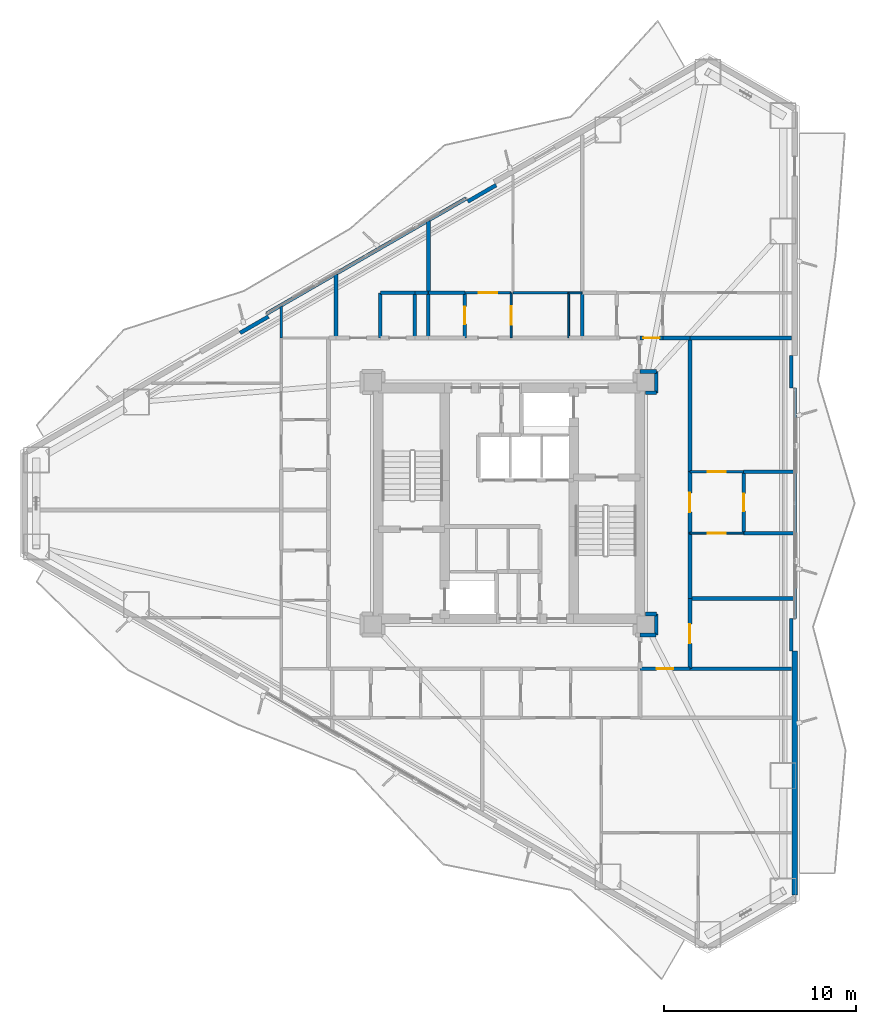
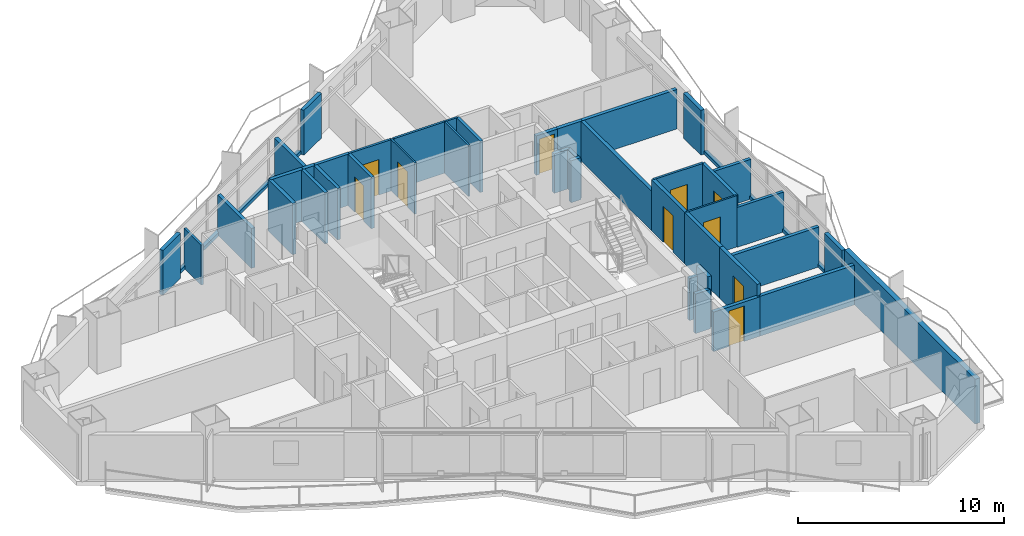
# One storey, part 15 of 18: 44 walls, 10 doors, 10 openings.
"""IFC4 building model written with IfcOpenShell, lengths in metres."""

from ifc_helpers import new_model, si_unit, direction, frame, frame_2d, origin, place, context, subcontext, project, spatial, rectangle, extrude, material, layer, layer_set, type_object, element, fill, save


model = new_model("IFC4")

# Units and contexts
model_context = context("Model", 3, precision=1e-05, world=origin(), true_north=direction((0.0, 1.0)))
body_context = subcontext(model_context, "Body", "Model", "MODEL_VIEW")
ifc_project = project(units=[si_unit("LENGTHUNIT", "METRE"), si_unit("AREAUNIT", "SQUARE_METRE"), si_unit("VOLUMEUNIT", "CUBIC_METRE"), si_unit("PLANEANGLEUNIT", "RADIAN"), si_unit("MASSUNIT", "GRAM", prefix="KILO")], contexts=[model_context])

# Site, building, storey
site_placement = place(None, origin())
site = spatial("IfcSite", under=ifc_project, at=site_placement, CompositionType="ELEMENT")
building_placement = place(site_placement, origin())
building = spatial("IfcBuilding", under=site, at=building_placement, Name="Mersakhor Tower and Convention Hall", CompositionType="ELEMENT")
storey_placement = place(building_placement, frame((0.0, 0.0, 52.199951171875)))
storey = spatial("IfcBuildingStorey", under=building, at=storey_placement, Name="L14", CompositionType="ELEMENT", Elevation=52.199951171875)

# Walls
ifc_material_1 = material(Name="Precast concrete C45/55", Category="concrete")
ifc_layer_1 = layer(ifc_material_1, 0.27490234375)
ifc_layer_set_1 = layer_set([ifc_layer_1], Name="Precast concrete C45/55")
wall_type_1 = type_object("IfcWallType", Name="WL-EXT-275", PredefinedType="SOLIDWALL", material=ifc_layer_set_1)
wall_1_placement = place(storey_placement, frame((43.85009765625, 19.0634765625, 0.0), z_axis=(0.0, 0.0, 1.0), x_axis=(0.0, -1.0, 0.0)))
element("IfcWall", 1, at=wall_1_placement, inside=storey, type_object=wall_type_1, Name="L14 Exterior Facade Wall F2-B3", PredefinedType="SOLIDWALL", context=body_context, shape_type="SweptSolid", body=[
    extrude(rectangle(XDim=12.673095703125, YDim=0.27490234375, at=frame_2d((6.33642578125, 0.0))), origin(), (0.0, 0.0, 1.0), 2.66015625),
])
ifc_material_2 = material(Name="Precast concrete C40/50", Category="concrete")
ifc_layer_2 = layer(ifc_material_2, 0.199951171875)
ifc_layer_set_2 = layer_set([ifc_layer_2], Name="Precast concrete C40/50")
wall_type_2 = type_object("IfcWallType", Name="WL-PAR-200", PredefinedType="PARAPET", material=ifc_layer_set_2)
wall_2_placement = place(storey_placement, frame((16.390380859375, 36.6171875, 0.0), z_axis=(0.0, 0.0, 1.0), x_axis=(0.866027351828, 0.499996625875, 0.0)))
element("IfcWall", 2, at=wall_2_placement, inside=storey, type_object=wall_type_2, Name="L14 Curtain Wall Upstand Sill F1-B2", PredefinedType="PARAPET", context=body_context, shape_type="SweptSolid", body=[
    extrude(rectangle(XDim=11.97314453125, YDim=0.199951171875, at=frame_2d((5.986572265625, 0.0))), origin(), (0.0, 0.0, 1.0), 0.199951171875),
])
for number, where, z_axis, x_axis, name in (
    (3, (15.00830078125, 35.611328125, 0.0), (0.0, 0.0, 1.0), (0.86605165483, 0.499954529098, 0.0), "L14 Column Pier Cladding Wall F1-C1"),
    (4, (26.849609375, 42.447998046875, 0.0), (0.0, 0.0, 1.0), (0.86605165483, 0.499954529098, 0.0), "L14 Column Pier Cladding Wall F1-C2"),
):
    element("IfcWall", number, at=place(storey_placement, frame(where, z_axis=z_axis, x_axis=x_axis)), inside=storey, type_object=wall_type_2, Name=name, PredefinedType="PARAPET", context=body_context, shape_type="SweptSolid", body=[
        extrude(rectangle(XDim=1.699951171875, YDim=0.199951171875, at=frame_2d((0.85009765625, 0.0))), origin(), (0.0, 0.0, 1.0), 2.66015625),
    ])
wall_3_placement = place(storey_placement, frame((43.85009765625, 32.736572265625, 0.0), z_axis=(0.0, 0.0, 1.0), x_axis=(0.0, -1.0, 0.0)))
element("IfcWall", 5, at=wall_3_placement, inside=storey, type_object=wall_type_2, Name="L14 Curtain Wall Upstand Sill F2-B2", PredefinedType="PARAPET", context=body_context, shape_type="SweptSolid", body=[
    extrude(rectangle(XDim=11.97314453125, YDim=0.199951171875, at=frame_2d((5.986572265625, 0.0))), origin(), (0.0, 0.0, 1.0), 0.199951171875),
])
for number, where, z_axis, x_axis, name in (
    (6, (43.669921875, 34.4365234375, 0.0), (0.0, 0.0, 1.0), (0.0, -1.0, 0.0), "L14 Column Pier Cladding Wall F2-C1"),
    (7, (43.669921875, 20.763427734375, 0.0), (0.0, 0.0, 1.0), (0.0, -1.0, 0.0), "L14 Column Pier Cladding Wall F2-C2"),
):
    element("IfcWall", number, at=place(storey_placement, frame(where, z_axis=z_axis, x_axis=x_axis)), inside=storey, type_object=wall_type_2, Name=name, PredefinedType="PARAPET", context=body_context, shape_type="SweptSolid", body=[
        extrude(rectangle(XDim=1.699951171875, YDim=0.199951171875, at=frame_2d((0.85009765625, 0.0))), origin(), (0.0, 0.0, 1.0), 2.66015625),
    ])

# Wall, opening, door
ifc_material_3 = material(Name="Moisture-resistant acoustic drywall studwork", Category="other")
ifc_layer_3 = layer(ifc_material_3, 0.175048828125)
ifc_layer_set_3 = layer_set([ifc_layer_3], Name="Moisture-resistant acoustic drywall studwork")
wall_type_3 = type_object("IfcWallType", Name="WL-PLM-175", PredefinedType="PLUMBINGWALL", material=ifc_layer_set_3)
wall_4_placement = place(storey_placement, frame((26.699951171875, 35.35009765625, 0.0), z_axis=(0.0, 0.0, 1.0), x_axis=(0.0, 1.0, 0.0)))
wall_4 = element("IfcWall", 8, at=wall_4_placement, inside=storey, type_object=wall_type_3, Name="L14 Interior Partition Wall P-073", PredefinedType="PLUMBINGWALL", context=body_context, shape_type="SweptSolid", body=[
    extrude(rectangle(XDim=2.349853515625, YDim=0.175048828125, at=frame_2d((1.1748046875, 0.0))), origin(), (0.0, 0.0, 1.0), 3.0400390625),
])
opening_1_placement = place(wall_4_placement, frame((0.72509765625, 0.0, 0.0)))
opening_1 = element("IfcOpeningElement", 9, at=opening_1_placement, cuts=wall_4, Name="Opening WD-01", PredefinedType="OPENING", context=body_context, shape_type="SweptSolid", body=[
    extrude(rectangle(XDim=0.89990234375, YDim=2.10009765625, at=frame_2d((0.449951171875, 1.050048828125))), frame((0.0, 0.097412109375, 0.0), z_axis=(0.0, -1.0, 0.0), x_axis=(1.0, 0.0, 0.0)), (0.0, 0.0, 1.0), 0.195068359375),
])
ifc_material_4 = material(Name="Solid-core hardwood leaf in painted steel frame", Category="steel")
door_type_1 = type_object("IfcDoorType", Name="DR-INT-WET-090x210", OperationType="NOTDEFINED", PredefinedType="DOOR", material=ifc_material_4)
door_1_placement = place(opening_1_placement, origin())
door_1 = element("IfcDoor", 10, at=door_1_placement, inside=storey, type_object=door_type_1, Name="L14 L14 Flat N2 Apartment Hall to L14 Flat N2 Bathroom Door", OperationType="SINGLE_SWING_RIGHT", OverallHeight=2.10009765625, OverallWidth=0.89990234375, PredefinedType="DOOR", context=body_context, shape_type="SweptSolid", body=[
    extrude(rectangle(XDim=0.89990234375, YDim=2.10009765625, at=frame_2d((0.449951171875, 1.050048828125))), frame((0.0, 0.02490234375, 0.0), z_axis=(0.0, -1.0, 0.0), x_axis=(1.0, 0.0, 0.0)), (0.0, 0.0, 1.0), 0.050048828125),
])
fill(opening_1, door_1)

wall_5_placement = place(storey_placement, frame((41.199951171875, 28.39990234375, 0.0), z_axis=(0.0, 0.0, 1.0), x_axis=(0.0, -1.0, 0.0)))
wall_5 = element("IfcWall", 11, at=wall_5_placement, inside=storey, type_object=wall_type_3, Name="L14 Interior Partition Wall P-089", PredefinedType="PLUMBINGWALL", context=body_context, shape_type="SweptSolid", body=[
    extrude(rectangle(XDim=3.199951171875, YDim=0.175048828125, at=frame_2d((1.60009765625, 0.0))), origin(), (0.0, 0.0, 1.0), 3.0400390625),
])
opening_2_placement = place(wall_5_placement, frame((1.14990234375, 0.0, 0.0)))
opening_2 = element("IfcOpeningElement", 12, at=opening_2_placement, cuts=wall_5, Name="Opening WD-01", PredefinedType="OPENING", context=body_context, shape_type="SweptSolid", body=[
    extrude(rectangle(XDim=0.89990234375, YDim=2.10009765625, at=frame_2d((0.449951171875, 1.050048828125))), frame((0.0, 0.097412109375, 0.0), z_axis=(0.0, -1.0, 0.0), x_axis=(1.0, 0.0, 0.0)), (0.0, 0.0, 1.0), 0.195068359375),
])
door_2_placement = place(opening_2_placement, origin())
door_2 = element("IfcDoor", 13, at=door_2_placement, inside=storey, type_object=door_type_1, Name="L14 L14 Flat E8 Apartment Hall to L14 Flat E8 Bathroom Door", OperationType="SINGLE_SWING_RIGHT", OverallHeight=2.10009765625, OverallWidth=0.89990234375, PredefinedType="DOOR", context=body_context, shape_type="SweptSolid", body=[
    extrude(rectangle(XDim=0.89990234375, YDim=2.10009765625, at=frame_2d((0.449951171875, 1.050048828125))), frame((0.0, 0.02490234375, 0.0), z_axis=(0.0, -1.0, 0.0), x_axis=(1.0, 0.0, 0.0)), (0.0, 0.0, 1.0), 0.050048828125),
])
fill(opening_2, door_2)

# Walls
wall_6_placement = place(storey_placement, frame((24.10009765625, 37.699951171875, 0.0), z_axis=(0.0, 0.0, 1.0), x_axis=(0.0, -1.0, 0.0)))
element("IfcWall", 14, at=wall_6_placement, inside=storey, type_object=wall_type_3, Name="L14 Interior Partition Wall P-093", PredefinedType="PLUMBINGWALL", context=body_context, shape_type="SweptSolid", body=[
    extrude(rectangle(XDim=2.349853515625, YDim=0.175048828125, at=frame_2d((1.1748046875, 0.0))), origin(), (0.0, 0.0, 1.0), 3.0400390625),
])
wall_7_placement = place(storey_placement, frame((24.800048828125, 37.699951171875, 0.0), z_axis=(0.0, 0.0, 1.0), x_axis=(1.0, 0.0, 0.0)))
element("IfcWall", 15, at=wall_7_placement, inside=storey, type_object=wall_type_3, Name="L14 Interior Partition Wall P-095", PredefinedType="PLUMBINGWALL", context=body_context, shape_type="SweptSolid", body=[
    extrude(rectangle(XDim=1.89990234375, YDim=0.175048828125, at=frame_2d((0.949951171875, 0.0))), origin(), (0.0, 0.0, 1.0), 3.0400390625),
])
for number, where, z_axis, x_axis, name in (
    (16, (24.800048828125, 35.35009765625, 0.0), (0.0, 0.0, 1.0), (0.0, 1.0, 0.0), "L14 Interior Partition Wall P-096"),
    (17, (32.800048828125, 35.35009765625, 0.0), (0.0, 0.0, 1.0), (0.0, 1.0, 0.0), "L14 Interior Partition Wall P-100"),
):
    element("IfcWall", number, at=place(storey_placement, frame(where, z_axis=z_axis, x_axis=x_axis)), inside=storey, type_object=wall_type_3, Name=name, PredefinedType="PLUMBINGWALL", context=body_context, shape_type="SweptSolid", body=[
        extrude(rectangle(XDim=2.349853515625, YDim=0.175048828125, at=frame_2d((1.1748046875, 0.0))), origin(), (0.0, 0.0, 1.0), 3.0400390625),
    ])
for number, where, z_axis, x_axis, name in (
    (18, (41.199951171875, 28.39990234375, 0.0), (0.0, 0.0, 1.0), (1.0, 0.0, 0.0), "L14 Interior Partition Wall P-120"),
    (19, (43.81396484375, 25.199951171875, 0.0), (0.0, 0.0, 1.0), (-1.0, 0.0, 0.0), "L14 Interior Partition Wall P-121"),
):
    element("IfcWall", number, at=place(storey_placement, frame(where, z_axis=z_axis, x_axis=x_axis)), inside=storey, type_object=wall_type_3, Name=name, PredefinedType="PLUMBINGWALL", context=body_context, shape_type="SweptSolid", body=[
        extrude(rectangle(XDim=2.614013671875, YDim=0.175048828125, at=frame_2d((1.30712890625, 0.0))), origin(), (0.0, 0.0, 1.0), 2.364990234375),
    ])

# Wall, opening, door
ifc_material_5 = material(Name="Lightweight gypsum partition", Category="other")
ifc_layer_4 = layer(ifc_material_5, 0.10009765625)
ifc_layer_set_4 = layer_set([ifc_layer_4], Name="Lightweight gypsum partition")
wall_type_4 = type_object("IfcWallType", Name="WL-PRT-100", PredefinedType="PARTITIONING", material=ifc_layer_set_4)
wall_8_placement = place(storey_placement, frame((29.10009765625, 37.699951171875, 0.0), z_axis=(0.0, 0.0, 1.0), x_axis=(0.0, -1.0, 0.0)))
wall_8 = element("IfcWall", 20, at=wall_8_placement, inside=storey, type_object=wall_type_4, Name="L14 Interior Partition Wall P-072", PredefinedType="PARTITIONING", context=body_context, shape_type="SweptSolid", body=[
    extrude(rectangle(XDim=2.349853515625, YDim=0.10009765625, at=frame_2d((1.1748046875, 0.0))), origin(), (0.0, 0.0, 1.0), 3.0400390625),
])
opening_3_placement = place(wall_8_placement, frame((0.699951171875, 0.0, 0.0)))
opening_3 = element("IfcOpeningElement", 21, at=opening_3_placement, cuts=wall_8, Name="Opening RD-01", PredefinedType="OPENING", context=body_context, shape_type="SweptSolid", body=[
    extrude(rectangle(XDim=0.949951171875, YDim=2.10009765625, at=frame_2d((0.47509765625, 1.050048828125))), frame((0.0, 0.06005859375, 0.0), z_axis=(0.0, -1.0, 0.0), x_axis=(1.0, 0.0, 0.0)), (0.0, 0.0, 1.0), 0.1201171875),
])
ifc_material_6 = material(Name="Solid-core hardwood leaf in painted steel frame", Category="steel")
door_type_2 = type_object("IfcDoorType", Name="DR-INT-RM-095x210", OperationType="NOTDEFINED", PredefinedType="DOOR", material=ifc_material_6)
door_3_placement = place(opening_3_placement, origin())
door_3 = element("IfcDoor", 22, at=door_3_placement, inside=storey, type_object=door_type_2, Name="L14 L14 Flat N2 Apartment Hall to L14 Flat N2 Kitchen Door", OperationType="SINGLE_SWING_LEFT", OverallHeight=2.10009765625, OverallWidth=0.949951171875, PredefinedType="DOOR", context=body_context, shape_type="SweptSolid", body=[
    extrude(rectangle(XDim=0.949951171875, YDim=2.10009765625, at=frame_2d((0.47509765625, 1.050048828125))), frame((0.0, 0.02490234375, 0.0), z_axis=(0.0, -1.0, 0.0), x_axis=(1.0, 0.0, 0.0)), (0.0, 0.0, 1.0), 0.050048828125),
])
fill(opening_3, door_3)

wall_9_placement = place(storey_placement, frame((41.199951171875, 25.199951171875, 0.0), z_axis=(0.0, 0.0, 1.0), x_axis=(-1.0, 0.0, 0.0)))
wall_9 = element("IfcWall", 23, at=wall_9_placement, inside=storey, type_object=wall_type_4, Name="L14 Interior Partition Wall P-090", PredefinedType="PARTITIONING", context=body_context, shape_type="SweptSolid", body=[
    extrude(rectangle(XDim=2.800048828125, YDim=0.10009765625, at=frame_2d((1.39990234375, 0.0))), origin(), (0.0, 0.0, 1.0), 3.0400390625),
])
opening_4_placement = place(wall_9_placement, frame((0.925048828125, 0.0, 0.0)))
opening_4 = element("IfcOpeningElement", 24, at=opening_4_placement, cuts=wall_9, Name="Opening RD-01", PredefinedType="OPENING", context=body_context, shape_type="SweptSolid", body=[
    extrude(rectangle(XDim=0.949951171875, YDim=2.10009765625, at=frame_2d((0.47509765625, 1.050048828125))), frame((0.0, 0.06005859375, 0.0), z_axis=(0.0, -1.0, 0.0), x_axis=(1.0, 0.0, 0.0)), (0.0, 0.0, 1.0), 0.1201171875),
])
door_4_placement = place(opening_4_placement, origin())
door_4 = element("IfcDoor", 25, at=door_4_placement, inside=storey, type_object=door_type_2, Name="L14 L14 Flat E8 Apartment Hall to L14 Flat E8 Kitchen Door", OperationType="SINGLE_SWING_LEFT", OverallHeight=2.10009765625, OverallWidth=0.949951171875, PredefinedType="DOOR", context=body_context, shape_type="SweptSolid", body=[
    extrude(rectangle(XDim=0.949951171875, YDim=2.10009765625, at=frame_2d((0.47509765625, 1.050048828125))), frame((0.0, 0.02490234375, 0.0), z_axis=(0.0, -1.0, 0.0), x_axis=(1.0, 0.0, 0.0)), (0.0, 0.0, 1.0), 0.050048828125),
])
fill(opening_4, door_4)

# Walls
wall_10_placement = place(storey_placement, frame((32.10009765625, 37.699951171875, 0.0), z_axis=(0.0, 0.0, 1.0), x_axis=(0.0, -1.0, 0.0)))
element("IfcWall", 26, at=wall_10_placement, inside=storey, type_object=wall_type_4, Name="L14 Interior Partition Wall P-098", PredefinedType="PARTITIONING", context=body_context, shape_type="SweptSolid", body=[
    extrude(rectangle(XDim=2.349853515625, YDim=0.10009765625, at=frame_2d((1.1748046875, 0.0))), origin(), (0.0, 0.0, 1.0), 3.0400390625),
])
wall_11_placement = place(storey_placement, frame((32.800048828125, 37.699951171875, 0.0), z_axis=(0.0, 0.0, 1.0), x_axis=(-1.0, 0.0, 0.0)))
element("IfcWall", 27, at=wall_11_placement, inside=storey, type_object=wall_type_4, Name="L14 Interior Partition Wall P-130", PredefinedType="PARTITIONING", context=body_context, shape_type="SweptSolid", body=[
    extrude(rectangle(XDim=0.699951171875, YDim=0.10009765625, at=frame_2d((0.35009765625, 0.0))), origin(), (0.0, 0.0, 1.0), 3.0400390625),
])

# Wall, opening, door
ifc_material_7 = material(Name="Gypsum board acoustic partition", Category="other")
ifc_layer_5 = layer(ifc_material_7, 0.125)
ifc_layer_set_5 = layer_set([ifc_layer_5], Name="Gypsum board acoustic partition")
wall_type_5 = type_object("IfcWallType", Name="WL-PRT-125", PredefinedType="PARTITIONING", material=ifc_layer_set_5)
wall_12_placement = place(storey_placement, frame((26.699951171875, 37.699951171875, 0.0), z_axis=(0.0, 0.0, 1.0), x_axis=(1.0, 0.0, 0.0)))
wall_12 = element("IfcWall", 28, at=wall_12_placement, inside=storey, type_object=wall_type_5, Name="L14 Interior Partition Wall P-071", PredefinedType="PARTITIONING", context=body_context, shape_type="SweptSolid", body=[
    extrude(rectangle(XDim=2.400146484375, YDim=0.125, at=frame_2d((1.2001953125, 0.0))), origin(), (0.0, 0.0, 1.0), 3.0400390625),
])
opening_5_placement = place(wall_12_placement, frame((0.72509765625, 0.0, 0.0)))
opening_5 = element("IfcOpeningElement", 29, at=opening_5_placement, cuts=wall_12, Name="Opening RD-01", PredefinedType="OPENING", context=body_context, shape_type="SweptSolid", body=[
    extrude(rectangle(XDim=0.949951171875, YDim=2.10009765625, at=frame_2d((0.47509765625, 1.050048828125))), frame((0.0, 0.072509765625, 0.0), z_axis=(0.0, -1.0, 0.0), x_axis=(1.0, 0.0, 0.0)), (0.0, 0.0, 1.0), 0.14501953125),
])
door_5_placement = place(opening_5_placement, origin())
door_5 = element("IfcDoor", 30, at=door_5_placement, inside=storey, type_object=door_type_2, Name="L14 L14 Flat N2 Apartment Hall to L14 Flat N2 Living and Dining Room Door", OperationType="SINGLE_SWING_RIGHT", OverallHeight=2.10009765625, OverallWidth=0.949951171875, PredefinedType="DOOR", context=body_context, shape_type="SweptSolid", body=[
    extrude(rectangle(XDim=0.949951171875, YDim=2.10009765625, at=frame_2d((0.47509765625, 1.050048828125))), frame((0.0, 0.02490234375, 0.0), z_axis=(0.0, -1.0, 0.0), x_axis=(1.0, 0.0, 0.0)), (0.0, 0.0, 1.0), 0.050048828125),
])
fill(opening_5, door_5)

wall_13_placement = place(storey_placement, frame((38.39990234375, 28.39990234375, 0.0), z_axis=(0.0, 0.0, 1.0), x_axis=(1.0, 0.0, 0.0)))
wall_13 = element("IfcWall", 31, at=wall_13_placement, inside=storey, type_object=wall_type_5, Name="L14 Interior Partition Wall P-091", PredefinedType="PARTITIONING", context=body_context, shape_type="SweptSolid", body=[
    extrude(rectangle(XDim=2.800048828125, YDim=0.125, at=frame_2d((1.39990234375, 0.0))), origin(), (0.0, 0.0, 1.0), 3.0400390625),
])
opening_6_placement = place(wall_13_placement, frame((0.925048828125, 0.0, 0.0)))
opening_6 = element("IfcOpeningElement", 32, at=opening_6_placement, cuts=wall_13, Name="Opening RD-01", PredefinedType="OPENING", context=body_context, shape_type="SweptSolid", body=[
    extrude(rectangle(XDim=0.949951171875, YDim=2.10009765625, at=frame_2d((0.47509765625, 1.050048828125))), frame((0.0, 0.072509765625, 0.0), z_axis=(0.0, -1.0, 0.0), x_axis=(1.0, 0.0, 0.0)), (0.0, 0.0, 1.0), 0.14501953125),
])
door_6_placement = place(opening_6_placement, origin())
door_6 = element("IfcDoor", 33, at=door_6_placement, inside=storey, type_object=door_type_2, Name="L14 L14 Flat E8 Apartment Hall to L14 Flat E8 Studio Living and Sleeping Room Door", OperationType="SINGLE_SWING_RIGHT", OverallHeight=2.10009765625, OverallWidth=0.949951171875, PredefinedType="DOOR", context=body_context, shape_type="SweptSolid", body=[
    extrude(rectangle(XDim=0.949951171875, YDim=2.10009765625, at=frame_2d((0.47509765625, 1.050048828125))), frame((0.0, 0.02490234375, 0.0), z_axis=(0.0, -1.0, 0.0), x_axis=(1.0, 0.0, 0.0)), (0.0, 0.0, 1.0), 0.050048828125),
])
fill(opening_6, door_6)

# Walls
wall_14_placement = place(storey_placement, frame((29.199951171875, 37.699951171875, 0.0), z_axis=(0.0, 0.0, 1.0), x_axis=(1.0, 0.0, 0.0)))
element("IfcWall", 34, at=wall_14_placement, inside=storey, type_object=wall_type_5, Name="L14 Interior Partition Wall P-097", PredefinedType="PARTITIONING", context=body_context, shape_type="SweptSolid", body=[
    extrude(rectangle(XDim=2.900146484375, YDim=0.125, at=frame_2d((1.4501953125, 0.0))), origin(), (0.0, 0.0, 1.0), 3.0400390625),
])
wall_15_placement = place(storey_placement, frame((17.14990234375, 37.01416015625, 0.0), z_axis=(0.0, 0.0, 1.0), x_axis=(0.0, -1.0, 0.0)))
element("IfcWall", 35, at=wall_15_placement, inside=storey, type_object=wall_type_5, Name="L14 Interior Partition Wall P-143", PredefinedType="PARTITIONING", context=body_context, shape_type="SweptSolid", body=[
    extrude(rectangle(XDim=1.6640625, YDim=0.125, at=frame_2d((0.83203125, 0.0))), origin(), (0.0, 0.0, 1.0), 2.364990234375),
])
ifc_material_8 = material(Name="Acoustic concrete blockwork and gypsum board", Category="masonry")
ifc_layer_6 = layer(ifc_material_8, 0.199951171875)
ifc_layer_set_6 = layer_set([ifc_layer_6], Name="Acoustic concrete blockwork and gypsum board")
wall_type_6 = type_object("IfcWallType", Name="WL-PRT-200", PredefinedType="PARTITIONING", material=ifc_layer_set_6)
for number, where, z_axis, x_axis, name in (
    (36, (36.64990234375, 21.0, 0.0), (0.0, 0.0, 1.0), (-1.0, 0.0, 0.0), "L14 Interior Partition Wall P-058"),
    (37, (36.10009765625, 32.5, 0.0), (0.0, 0.0, 1.0), (1.0, 0.0, 0.0), "L14 Interior Partition Wall P-059"),
):
    element("IfcWall", number, at=place(storey_placement, frame(where, z_axis=z_axis, x_axis=x_axis)), inside=storey, type_object=wall_type_6, Name=name, PredefinedType="PARTITIONING", context=body_context, shape_type="SweptSolid", body=[
        extrude(rectangle(XDim=0.5498046875, YDim=0.199951171875, at=frame_2d((0.27490234375, 0.0))), origin(), (0.0, 0.0, 1.0), 2.48828125),
    ])
wall_16_placement = place(storey_placement, frame((36.64990234375, 32.5, 0.0), z_axis=(0.0, 0.0, 1.0), x_axis=(0.0, 1.0, 0.0)))
element("IfcWall", 38, at=wall_16_placement, inside=storey, type_object=wall_type_6, Name="L14 Interior Partition Wall P-060", PredefinedType="PARTITIONING", context=body_context, shape_type="SweptSolid", body=[
    extrude(rectangle(XDim=1.10009765625, YDim=0.199951171875, at=frame_2d((0.550048828125, 0.0))), origin(), (0.0, 0.0, 1.0), 2.337646484375),
])
wall_17_placement = place(storey_placement, frame((36.64990234375, 33.60009765625, 0.0), z_axis=(0.0, 0.0, 1.0), x_axis=(-1.0, 0.0, 0.0)))
element("IfcWall", 39, at=wall_17_placement, inside=storey, type_object=wall_type_6, Name="L14 Interior Partition Wall P-061", PredefinedType="PARTITIONING", context=body_context, shape_type="SweptSolid", body=[
    extrude(rectangle(XDim=0.849853515625, YDim=0.199951171875, at=frame_2d((0.4248046875, 0.0))), origin(), (0.0, 0.0, 1.0), 2.337646484375),
])

# Wall, opening, door
wall_18_placement = place(storey_placement, frame((35.800048828125, 35.35009765625, 0.0), z_axis=(0.0, 0.0, 1.0), x_axis=(1.0, 0.0, 0.0)))
wall_18 = element("IfcWall", 40, at=wall_18_placement, inside=storey, type_object=wall_type_6, Name="L14 Interior Partition Wall P-062", PredefinedType="PARTITIONING", context=body_context, shape_type="SweptSolid", body=[
    extrude(rectangle(XDim=1.199951171875, YDim=0.199951171875, at=frame_2d((0.60009765625, 0.0))), origin(), (0.0, 0.0, 1.0), 2.337646484375),
])
opening_7_placement = place(wall_18_placement, frame((0.175048828125, 0.0, 0.0)))
opening_7 = element("IfcOpeningElement", 41, at=opening_7_placement, cuts=wall_18, Name="Opening SVD-01", PredefinedType="OPENING", context=body_context, shape_type="SweptSolid", body=[
    extrude(rectangle(XDim=0.85009765625, YDim=2.10009765625, at=frame_2d((0.425048828125, 1.050048828125))), frame((0.0, 0.10986328125, 0.0), z_axis=(0.0, -1.0, 0.0), x_axis=(1.0, 0.0, 0.0)), (0.0, 0.0, 1.0), 0.219970703125),
])
ifc_material_9 = material(Name="Fire-rated hardwood leaf and painted steel frame", Category="steel")
door_type_3 = type_object("IfcDoorType", Name="DR-INT-SVC-085x210", OperationType="NOTDEFINED", PredefinedType="DOOR", material=ifc_material_9)
door_7_placement = place(opening_7_placement, origin())
door_7 = element("IfcDoor", 42, at=door_7_placement, inside=storey, type_object=door_type_3, Name="L14 Apartment Entrance Door (Residential Ring East Corridor to L14 Flat N3 Apartment Hall)", OperationType="SINGLE_SWING_RIGHT", OverallHeight=2.10009765625, OverallWidth=0.85009765625, PredefinedType="DOOR", context=body_context, shape_type="SweptSolid", body=[
    extrude(rectangle(XDim=0.85009765625, YDim=2.10009765625, at=frame_2d((0.425048828125, 1.050048828125))), frame((0.0, 0.02490234375, 0.0), z_axis=(0.0, -1.0, 0.0), x_axis=(1.0, 0.0, 0.0)), (0.0, 0.0, 1.0), 0.050048828125),
])
fill(opening_7, door_7)

# Walls
wall_19_placement = place(storey_placement, frame((37.0, 35.35009765625, 0.0), z_axis=(0.0, 0.0, 1.0), x_axis=(1.0, 0.0, 0.0)))
element("IfcWall", 43, at=wall_19_placement, inside=storey, type_object=wall_type_6, Name="L14 Interior Partition Wall P-063", PredefinedType="PARTITIONING", context=body_context, shape_type="SweptSolid", body=[
    extrude(rectangle(XDim=1.39990234375, YDim=0.199951171875, at=frame_2d((0.699951171875, 0.0))), origin(), (0.0, 0.0, 1.0), 2.337646484375),
])
wall_20_placement = place(storey_placement, frame((38.39990234375, 35.35009765625, 0.0), z_axis=(0.0, 0.0, 1.0), x_axis=(0.0, -1.0, 0.0)))
element("IfcWall", 44, at=wall_20_placement, inside=storey, type_object=wall_type_6, Name="L14 Interior Partition Wall P-064", PredefinedType="PARTITIONING", context=body_context, shape_type="SweptSolid", body=[
    extrude(rectangle(XDim=6.9501953125, YDim=0.199951171875, at=frame_2d((3.47509765625, 0.0))), origin(), (0.0, 0.0, 1.0), 2.337646484375),
])

# Wall, opening, door
wall_21_placement = place(storey_placement, frame((38.39990234375, 28.39990234375, 0.0), z_axis=(0.0, 0.0, 1.0), x_axis=(0.0, -1.0, 0.0)))
wall_21 = element("IfcWall", 45, at=wall_21_placement, inside=storey, type_object=wall_type_6, Name="L14 Interior Partition Wall P-065", PredefinedType="PARTITIONING", context=body_context, shape_type="SweptSolid", body=[
    extrude(rectangle(XDim=3.199951171875, YDim=0.199951171875, at=frame_2d((1.60009765625, 0.0))), origin(), (0.0, 0.0, 1.0), 3.0400390625),
])
opening_8_placement = place(wall_21_placement, frame((1.10009765625, 0.0, 0.0)))
opening_8 = element("IfcOpeningElement", 46, at=opening_8_placement, cuts=wall_21, Name="Opening FD-01", PredefinedType="OPENING", context=body_context, shape_type="SweptSolid", body=[
    extrude(rectangle(XDim=1.0, YDim=2.14990234375, at=frame_2d((0.5, 1.074951171875))), frame((0.0, 0.10986328125, 0.0), z_axis=(0.0, -1.0, 0.0), x_axis=(1.0, 0.0, 0.0)), (0.0, 0.0, 1.0), 0.219970703125),
])
ifc_material_10 = material(Name="Fire-rated hardwood leaf and painted steel frame", Category="steel")
door_type_4 = type_object("IfcDoorType", Name="DR-INT-FLT-100x215", OperationType="NOTDEFINED", PredefinedType="DOOR", material=ifc_material_10)
door_8_placement = place(opening_8_placement, origin())
door_8 = element("IfcDoor", 47, at=door_8_placement, inside=storey, type_object=door_type_4, Name="L14 Apartment Entrance Door (Residential Ring East Corridor to L14 Flat E8 Apartment Hall)", OperationType="SINGLE_SWING_LEFT", OverallHeight=2.14990234375, OverallWidth=1.0, PredefinedType="DOOR", context=body_context, shape_type="SweptSolid", body=[
    extrude(rectangle(XDim=1.0, YDim=2.14990234375, at=frame_2d((0.5, 1.074951171875))), frame((0.0, 0.02490234375, 0.0), z_axis=(0.0, -1.0, 0.0), x_axis=(1.0, 0.0, 0.0)), (0.0, 0.0, 1.0), 0.050048828125),
])
fill(opening_8, door_8)

# Wall
wall_22_placement = place(storey_placement, frame((38.39990234375, 25.199951171875, 0.0), z_axis=(0.0, 0.0, 1.0), x_axis=(0.0, -1.0, 0.0)))
element("IfcWall", 48, at=wall_22_placement, inside=storey, type_object=wall_type_6, Name="L14 Interior Partition Wall P-066", PredefinedType="PARTITIONING", context=body_context, shape_type="SweptSolid", body=[
    extrude(rectangle(XDim=3.39990234375, YDim=0.199951171875, at=frame_2d((1.699951171875, 0.0))), origin(), (0.0, 0.0, 1.0), 3.0400390625),
])

# Wall, opening, door
wall_23_placement = place(storey_placement, frame((38.39990234375, 21.800048828125, 0.0), z_axis=(0.0, 0.0, 1.0), x_axis=(0.0, -1.0, 0.0)))
wall_23 = element("IfcWall", 49, at=wall_23_placement, inside=storey, type_object=wall_type_6, Name="L14 Interior Partition Wall P-067", PredefinedType="PARTITIONING", context=body_context, shape_type="SweptSolid", body=[
    extrude(rectangle(XDim=3.650146484375, YDim=0.199951171875, at=frame_2d((1.8251953125, 0.0))), origin(), (0.0, 0.0, 1.0), 3.0400390625),
])
opening_9_placement = place(wall_23_placement, frame((1.324951171875, 0.0, 0.0)))
opening_9 = element("IfcOpeningElement", 50, at=opening_9_placement, cuts=wall_23, Name="Opening FD-01", PredefinedType="OPENING", context=body_context, shape_type="SweptSolid", body=[
    extrude(rectangle(XDim=1.0, YDim=2.14990234375, at=frame_2d((0.5, 1.074951171875))), frame((0.0, 0.10986328125, 0.0), z_axis=(0.0, -1.0, 0.0), x_axis=(1.0, 0.0, 0.0)), (0.0, 0.0, 1.0), 0.219970703125),
])
door_9_placement = place(opening_9_placement, origin())
door_9 = element("IfcDoor", 51, at=door_9_placement, inside=storey, type_object=door_type_4, Name="L14 Residential Ring East Corridor to L14 East Wing Quiet Homework Room Door", OperationType="SINGLE_SWING_LEFT", OverallHeight=2.14990234375, OverallWidth=1.0, PredefinedType="DOOR", context=body_context, shape_type="SweptSolid", body=[
    extrude(rectangle(XDim=1.0, YDim=2.14990234375, at=frame_2d((0.5, 1.074951171875))), frame((0.0, 0.02490234375, 0.0), z_axis=(0.0, -1.0, 0.0), x_axis=(1.0, 0.0, 0.0)), (0.0, 0.0, 1.0), 0.050048828125),
])
fill(opening_9, door_9)

wall_24_placement = place(storey_placement, frame((38.39990234375, 18.14990234375, 0.0), z_axis=(0.0, 0.0, 1.0), x_axis=(-1.0, 0.0, 0.0)))
wall_24 = element("IfcWall", 52, at=wall_24_placement, inside=storey, type_object=wall_type_6, Name="L14 Interior Partition Wall P-068", PredefinedType="PARTITIONING", context=body_context, shape_type="SweptSolid", body=[
    extrude(rectangle(XDim=2.599853515625, YDim=0.199951171875, at=frame_2d((1.2998046875, 0.0))), origin(), (0.0, 0.0, 1.0), 2.337646484375),
])
opening_10_placement = place(wall_24_placement, frame((0.875, 0.0, 0.0)))
opening_10 = element("IfcOpeningElement", 53, at=opening_10_placement, cuts=wall_24, Name="Opening SVD-01", PredefinedType="OPENING", context=body_context, shape_type="SweptSolid", body=[
    extrude(rectangle(XDim=0.85009765625, YDim=2.10009765625, at=frame_2d((0.425048828125, 1.050048828125))), frame((0.0, 0.10986328125, 0.0), z_axis=(0.0, -1.0, 0.0), x_axis=(1.0, 0.0, 0.0)), (0.0, 0.0, 1.0), 0.219970703125),
])
door_10_placement = place(opening_10_placement, origin())
door_10 = element("IfcDoor", 54, at=door_10_placement, inside=storey, type_object=door_type_3, Name="L14 Residential Ring East Corridor to L14 South Wing Household Store Room Door", OperationType="SINGLE_SWING_RIGHT", OverallHeight=2.10009765625, OverallWidth=0.85009765625, PredefinedType="DOOR", context=body_context, shape_type="SweptSolid", body=[
    extrude(rectangle(XDim=0.85009765625, YDim=2.10009765625, at=frame_2d((0.425048828125, 1.050048828125))), frame((0.0, 0.02490234375, 0.0), z_axis=(0.0, -1.0, 0.0), x_axis=(1.0, 0.0, 0.0)), (0.0, 0.0, 1.0), 0.050048828125),
])
fill(opening_10, door_10)

# Walls
wall_25_placement = place(storey_placement, frame((35.800048828125, 19.89990234375, 0.0), z_axis=(0.0, 0.0, 1.0), x_axis=(1.0, 0.0, 0.0)))
element("IfcWall", 55, at=wall_25_placement, inside=storey, type_object=wall_type_6, Name="L14 Interior Partition Wall P-069", PredefinedType="PARTITIONING", context=body_context, shape_type="SweptSolid", body=[
    extrude(rectangle(XDim=0.849853515625, YDim=0.199951171875, at=frame_2d((0.4248046875, 0.0))), origin(), (0.0, 0.0, 1.0), 2.337646484375),
])
wall_26_placement = place(storey_placement, frame((36.64990234375, 19.89990234375, 0.0), z_axis=(0.0, 0.0, 1.0), x_axis=(0.0, 1.0, 0.0)))
element("IfcWall", 56, at=wall_26_placement, inside=storey, type_object=wall_type_6, Name="L14 Interior Partition Wall P-070", PredefinedType="PARTITIONING", context=body_context, shape_type="SweptSolid", body=[
    extrude(rectangle(XDim=1.10009765625, YDim=0.199951171875, at=frame_2d((0.550048828125, 0.0))), origin(), (0.0, 0.0, 1.0), 3.0400390625),
])
wall_27_placement = place(storey_placement, frame((22.300048828125, 37.699951171875, 0.0), z_axis=(0.0, 0.0, 1.0), x_axis=(1.0, 0.0, 0.0)))
element("IfcWall", 57, at=wall_27_placement, inside=storey, type_object=wall_type_6, Name="L14 Interior Partition Wall P-092", PredefinedType="PARTITIONING", context=body_context, shape_type="SweptSolid", body=[
    extrude(rectangle(XDim=1.800048828125, YDim=0.199951171875, at=frame_2d((0.89990234375, 0.0))), origin(), (0.0, 0.0, 1.0), 3.0400390625),
])
wall_28_placement = place(storey_placement, frame((22.300048828125, 35.35009765625, 0.0), z_axis=(0.0, 0.0, 1.0), x_axis=(0.0, 1.0, 0.0)))
element("IfcWall", 58, at=wall_28_placement, inside=storey, type_object=wall_type_6, Name="L14 Interior Partition Wall P-094", PredefinedType="PARTITIONING", context=body_context, shape_type="SweptSolid", body=[
    extrude(rectangle(XDim=2.349853515625, YDim=0.199951171875, at=frame_2d((1.1748046875, 0.0))), origin(), (0.0, 0.0, 1.0), 3.0400390625),
])
wall_29_placement = place(storey_placement, frame((43.6884765625, 35.35009765625, 0.0), z_axis=(0.0, 0.0, 1.0), x_axis=(-1.0, 0.0, 0.0)))
element("IfcWall", 59, at=wall_29_placement, inside=storey, type_object=wall_type_6, Name="L14 Interior Partition Wall P-101", PredefinedType="PARTITIONING", context=body_context, shape_type="SweptSolid", body=[
    extrude(rectangle(XDim=5.28857421875, YDim=0.199951171875, at=frame_2d((2.644287109375, 0.0))), origin(), (0.0, 0.0, 1.0), 2.337646484375),
])
wall_30_placement = place(storey_placement, frame((43.81396484375, 21.800048828125, 0.0), z_axis=(0.0, 0.0, 1.0), x_axis=(-1.0, 0.0, 0.0)))
element("IfcWall", 60, at=wall_30_placement, inside=storey, type_object=wall_type_6, Name="L14 Interior Partition Wall P-122", PredefinedType="PARTITIONING", context=body_context, shape_type="SweptSolid", body=[
    extrude(rectangle(XDim=5.4140625, YDim=0.199951171875, at=frame_2d((2.70703125, 0.0))), origin(), (0.0, 0.0, 1.0), 2.364990234375),
])
wall_31_placement = place(storey_placement, frame((38.39990234375, 18.14990234375, 0.0), z_axis=(0.0, 0.0, 1.0), x_axis=(1.0, 0.0, 0.0)))
element("IfcWall", 61, at=wall_31_placement, inside=storey, type_object=wall_type_6, Name="L14 Interior Partition Wall P-124", PredefinedType="PARTITIONING", context=body_context, shape_type="SweptSolid", body=[
    extrude(rectangle(XDim=5.28857421875, YDim=0.199951171875, at=frame_2d((2.644287109375, 0.0))), origin(), (0.0, 0.0, 1.0), 2.364990234375),
])
wall_32_placement = place(storey_placement, frame((24.800048828125, 41.430908203125, 0.0), z_axis=(0.0, 0.0, 1.0), x_axis=(0.0, -1.0, 0.0)))
element("IfcWall", 62, at=wall_32_placement, inside=storey, type_object=wall_type_6, Name="L14 Interior Partition Wall P-126", PredefinedType="PARTITIONING", context=body_context, shape_type="SweptSolid", body=[
    extrude(rectangle(XDim=3.73095703125, YDim=0.199951171875, at=frame_2d((1.865478515625, 0.0))), origin(), (0.0, 0.0, 1.0), 2.364990234375),
])
wall_33_placement = place(storey_placement, frame((24.77001953125, 37.699951171875, 0.0), z_axis=(0.0, 0.0, 1.0), x_axis=(-1.0, 0.0, 0.0)))
element("IfcWall", 63, at=wall_33_placement, inside=storey, type_object=wall_type_6, Name="L14 Interior Partition Wall P-127", PredefinedType="PARTITIONING", context=body_context, shape_type="SweptSolid", body=[
    extrude(rectangle(XDim=0.655029296875, YDim=0.199951171875, at=frame_2d((0.32763671875, 0.0))), origin(), (0.0, 0.0, 1.0), 3.0400390625),
])
wall_34_placement = place(storey_placement, frame((20.0, 35.35009765625, 0.0), z_axis=(0.0, 0.0, 1.0), x_axis=(0.0, 1.0, 0.0)))
element("IfcWall", 64, at=wall_34_placement, inside=storey, type_object=wall_type_6, Name="L14 Interior Partition Wall P-128", PredefinedType="PARTITIONING", context=body_context, shape_type="SweptSolid", body=[
    extrude(rectangle(XDim=3.3095703125, YDim=0.199951171875, at=frame_2d((1.65478515625, 0.0))), origin(), (0.0, 0.0, 1.0), 2.364990234375),
])

save(model, "model.ifc")
